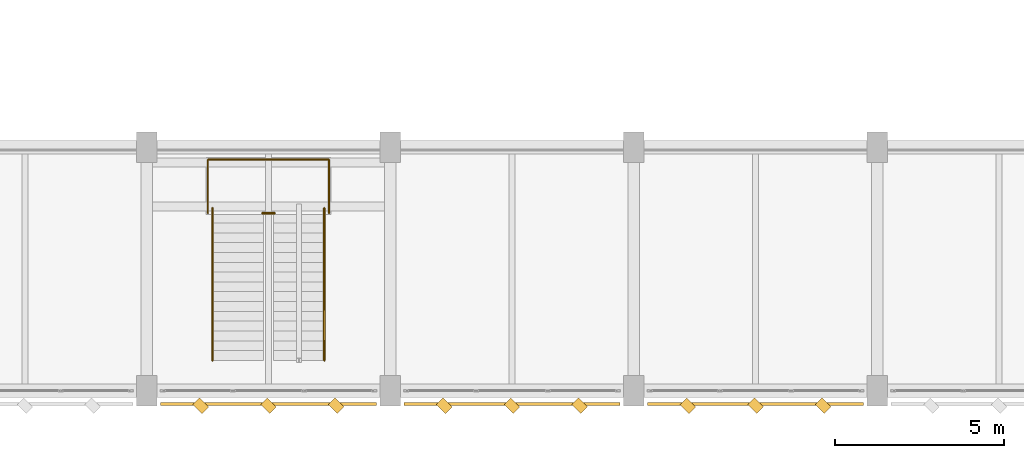
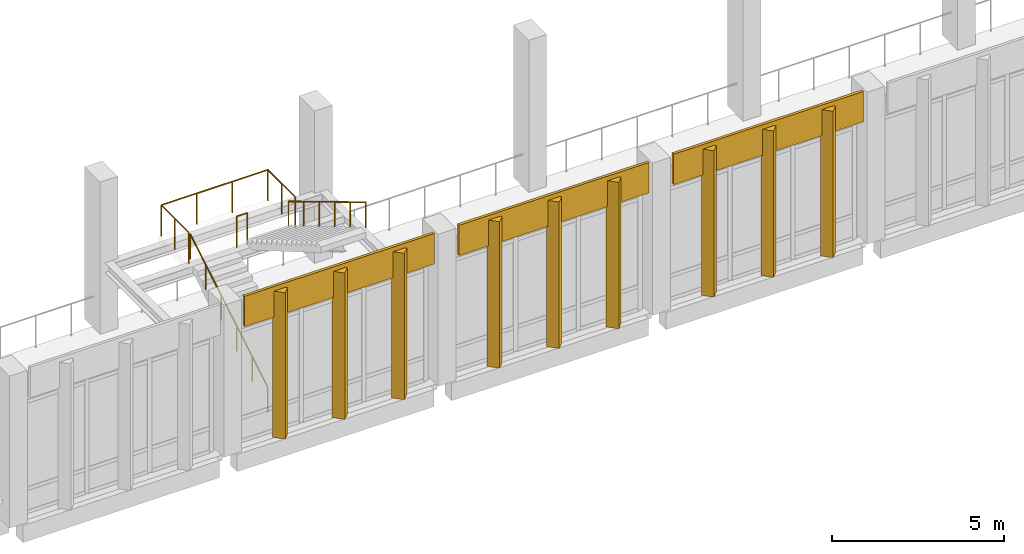
# One storey, part 175 of 180: 12 coverings, 4 railings.
"""IFC4 building model written with IfcOpenShell, lengths in metres."""

from ifc_helpers import new_model, si_unit, direction, frame, origin, origin_2d, place, context, subcontext, project, spatial, rectangle, circle, extrude, material, layer, layer_set, type_object, element, save


model = new_model("IFC4")

# Units and contexts
model_context = context("Model", 3, precision=1e-05, world=origin(), true_north=direction((0.0, 1.0)))
body_context = subcontext(model_context, "Body", "Model", "MODEL_VIEW")
ifc_project = project(units=[si_unit("LENGTHUNIT", "METRE"), si_unit("AREAUNIT", "SQUARE_METRE"), si_unit("VOLUMEUNIT", "CUBIC_METRE"), si_unit("PLANEANGLEUNIT", "RADIAN"), si_unit("MASSUNIT", "GRAM", prefix="KILO")], contexts=[model_context])

# Site, building, storey
site_placement = place(None, origin())
site = spatial("IfcSite", under=ifc_project, at=site_placement, CompositionType="ELEMENT")
building_placement = place(site_placement, origin())
building = spatial("IfcBuilding", under=site, at=building_placement, Name="Lusvemor Sports Hall", CompositionType="ELEMENT")
storey_placement = place(building_placement, frame((0.0, 0.0, 5.39990234375)))
storey = spatial("IfcBuildingStorey", under=building, at=storey_placement, Name="L01", CompositionType="ELEMENT", Elevation=5.39990234375)

# Coverings
ifc_material_1 = material(Name="Emerald polychrome glazed ceramic cladding on Concrete C40/50 backing", Category="concrete")
ifc_layer_1 = layer(ifc_material_1, 0.0458984375)
ifc_layer_set_1 = layer_set([ifc_layer_1], Name="Emerald polychrome glazed ceramic cladding on Concrete C40/50 backing")
covering_type_1 = type_object("IfcCoveringType", Name="CLAD_WAVE_EMERALD", PredefinedType="CLADDING", material=ifc_layer_set_1)
for number, where, z_axis, x_axis, name in (
    (1, (129.60009765625, -0.43994140625, 0.10009765625), (0.0, 0.0, 1.0), (0.707106781187, 0.707106781187, 0.0), "Patterned Diamond Cladding Rib 166"),
    (2, (136.800048828125, -0.43994140625, 0.10009765625), (0.0, 0.0, 1.0), (0.707106781187, 0.707106781187, 0.0), "Patterned Diamond Cladding Rib 182"),
    (3, (144.0, -0.43994140625, 0.10009765625), (0.0, 0.0, 1.0), (0.707106781187, 0.707106781187, 0.0), "Patterned Diamond Cladding Rib 198"),
):
    element("IfcCovering", number, at=place(storey_placement, frame(where, z_axis=z_axis, x_axis=x_axis)), inside=storey, type_object=covering_type_1, Name=name, PredefinedType="CLADDING", context=body_context, shape_type="SweptSolid", body=[
        extrude(rectangle(XDim=0.280029296875, YDim=0.3798828125, at=origin_2d()), origin(), (0.0, 0.0, 1.0), 5.199951171875),
    ])
ifc_material_2 = material(Name="Warm terracotta Art Nouveau ceramic cladding on Concrete C40/50 backing", Category="masonry")
ifc_layer_2 = layer(ifc_material_2, 0.0380859375)
ifc_layer_set_2 = layer_set([ifc_layer_2], Name="Warm terracotta Art Nouveau ceramic cladding on Concrete C40/50 backing")
covering_type_2 = type_object("IfcCoveringType", Name="CLAD_WAVE_OCHRE", PredefinedType="CLADDING", material=ifc_layer_set_2)
for number, where, z_axis, x_axis, name in (
    (4, (129.60009765625, -0.389892578125, 4.380126953125), (0.0, 0.0, 1.0), (1.0, 0.0, 0.0), "Art Nouveau Spandrel Cornice 164"),
    (5, (136.800048828125, -0.389892578125, 4.380126953125), (0.0, 0.0, 1.0), (1.0, 0.0, 0.0), "Art Nouveau Spandrel Cornice 180"),
    (6, (144.0, -0.389892578125, 4.380126953125), (0.0, 0.0, 1.0), (1.0, 0.0, 0.0), "Art Nouveau Spandrel Cornice 196"),
):
    element("IfcCovering", number, at=place(storey_placement, frame(where, z_axis=z_axis, x_axis=x_axis)), inside=storey, type_object=covering_type_2, Name=name, PredefinedType="CLADDING", context=body_context, shape_type="SweptSolid", body=[
        extrude(rectangle(XDim=6.3798828125, YDim=0.090087890625, at=origin_2d()), origin(), (0.0, 0.0, 1.0), 1.080078125),
    ])
ifc_material_3 = material(Name="Warm terracotta Art Nouveau ceramic cladding on Concrete C40/50 backing", Category="masonry")
ifc_layer_3 = layer(ifc_material_3, 0.449951171875)
ifc_layer_set_3 = layer_set([ifc_layer_3], Name="Warm terracotta Art Nouveau ceramic cladding on Concrete C40/50 backing")
covering_type_3 = type_object("IfcCoveringType", Name="FIN_BRISE_CER_450", PredefinedType="MOLDING", material=ifc_layer_set_3)
for number, where, z_axis, x_axis, name in (
    (7, (127.60009765625, -0.43994140625, 0.10009765625), (0.0, 0.0, 1.0), (0.707106781187, 0.707106781187, 0.0), "Patterned Diamond Cladding Rib 165"),
    (8, (131.60009765625, -0.43994140625, 0.10009765625), (0.0, 0.0, 1.0), (0.707106781187, 0.707106781187, 0.0), "Patterned Diamond Cladding Rib 167"),
    (9, (134.800048828125, -0.43994140625, 0.10009765625), (0.0, 0.0, 1.0), (0.707106781187, 0.707106781187, 0.0), "Patterned Diamond Cladding Rib 181"),
    (10, (138.800048828125, -0.43994140625, 0.10009765625), (0.0, 0.0, 1.0), (0.707106781187, 0.707106781187, 0.0), "Patterned Diamond Cladding Rib 183"),
    (11, (142.0, -0.43994140625, 0.10009765625), (0.0, 0.0, 1.0), (0.707106781187, 0.707106781187, 0.0), "Patterned Diamond Cladding Rib 197"),
    (12, (146.0, -0.43994140625, 0.10009765625), (0.0, 0.0, 1.0), (0.707106781187, 0.707106781187, 0.0), "Patterned Diamond Cladding Rib 199"),
):
    element("IfcCovering", number, at=place(storey_placement, frame(where, z_axis=z_axis, x_axis=x_axis)), inside=storey, type_object=covering_type_3, Name=name, PredefinedType="MOLDING", context=body_context, shape_type="SweptSolid", body=[
        extrude(rectangle(XDim=0.280029296875, YDim=0.3798828125, at=origin_2d()), origin(), (0.0, 0.0, 1.0), 5.199951171875),
    ])

# Railings
ifc_material_4 = material(Name="Bronze-finished wrought-steel Art Nouveau balustrade", Category="steel")
railing_type_1 = type_object("IfcRailingType", Name="RAIL_HANDRAIL_092", PredefinedType="HANDRAIL", material=ifc_material_4)
railing_1_placement = place(storey_placement, frame((127.949951171875, 0.89990234375, 0.0)))
element("IfcRailing", 13, at=railing_1_placement, inside=storey, type_object=railing_type_1, Name="STR-V2-CONC Handrail F1", PredefinedType="HANDRAIL", context=body_context, shape_type="SweptSolid", body=[
    extrude(circle(Radius=0.02392578125, at=origin_2d()), frame((0.0, 0.0, 0.89599609375), z_axis=(0.0, 0.857476506072, 0.514523120505), x_axis=(-1.0, 0.0, 0.0)), (0.0, 0.0, 1.0), 5.248046875),
    extrude(circle(Radius=0.02099609375, at=origin_2d()), origin(), (0.0, 0.0, 1.0), 0.871826171875),
    extrude(circle(Radius=0.02099609375, at=origin_2d()), frame((0.0, 0.89990234375, 0.5400390625)), (0.0, 0.0, 1.0), 0.871826171875),
    extrude(circle(Radius=0.02099609375, at=origin_2d()), frame((0.0, 1.800048828125, 1.080078125)), (0.0, 0.0, 1.0), 0.871826171875),
    extrude(circle(Radius=0.02099609375, at=origin_2d()), frame((0.0, 2.699951171875, 1.6201171875)), (0.0, 0.0, 1.0), 0.871826171875),
    extrude(circle(Radius=0.02099609375, at=origin_2d()), frame((0.0, 3.60009765625, 2.16015625)), (0.0, 0.0, 1.0), 0.871826171875),
    extrude(circle(Radius=0.02099609375, at=origin_2d()), frame((0.0, 4.5, 2.7001953125)), (0.0, 0.0, 1.0), 0.871826171875),
])
railing_2_placement = place(storey_placement, frame((131.25, 5.39990234375, 2.7001953125)))
element("IfcRailing", 14, at=railing_2_placement, inside=storey, type_object=railing_type_1, Name="STR-V2-CONC Handrail F2", PredefinedType="HANDRAIL", context=body_context, shape_type="SweptSolid", body=[
    extrude(circle(Radius=0.02392578125, at=origin_2d()), frame((0.0, 0.0, 0.89599609375), z_axis=(0.0, -0.857497030584, 0.514488913912), x_axis=(1.0, 0.0, 0.0)), (0.0, 0.0, 1.0), 5.247802734375),
    extrude(circle(Radius=0.02099609375, at=origin_2d()), origin(), (0.0, 0.0, 1.0), 0.871826171875),
    extrude(circle(Radius=0.02099609375, at=origin_2d()), frame((0.0, -0.89990234375, 0.5400390625)), (0.0, 0.0, 1.0), 0.871826171875),
    extrude(circle(Radius=0.02099609375, at=origin_2d()), frame((0.0, -1.800048828125, 1.080078125)), (0.0, 0.0, 1.0), 0.871826171875),
    extrude(circle(Radius=0.02099609375, at=origin_2d()), frame((0.0, -2.699951171875, 1.619873046875)), (0.0, 0.0, 1.0), 0.871826171875),
    extrude(circle(Radius=0.02099609375, at=origin_2d()), frame((0.0, -3.60009765625, 2.159912109375)), (0.0, 0.0, 1.0), 0.871826171875),
    extrude(circle(Radius=0.02099609375, at=origin_2d()), frame((0.0, -4.5, 2.699951171875)), (0.0, 0.0, 1.0), 0.871826171875),
])
ifc_material_5 = material(Name="Bronze-finished wrought-steel Art Nouveau balustrade", Category="steel")
railing_type_2 = type_object("IfcRailingType", Name="RAIL_STAIR_GUARD_112", PredefinedType="GUARDRAIL", material=ifc_material_5)
railing_3_placement = place(storey_placement, frame((127.81005859375, 5.25, 2.7001953125)))
element("IfcRailing", 15, at=railing_3_placement, inside=storey, type_object=railing_type_2, Name="STR-V2-CONC Mid Guard", PredefinedType="GUARDRAIL", context=body_context, shape_type="SweptSolid", body=[
    extrude(circle(Radius=0.02392578125, at=origin_2d()), frame((0.0, 0.0, 1.09619140625), z_axis=(0.0, 1.0, 0.0), x_axis=(-1.0, 0.0, 0.0)), (0.0, 0.0, 1.0), 1.590087890625),
    extrude(circle(Radius=0.02392578125, at=origin_2d()), frame((0.0, 1.590087890625, 1.09619140625), z_axis=(1.0, 0.0, 0.0), x_axis=(0.0, 1.0, 0.0)), (0.0, 0.0, 1.0), 3.579833984375),
    extrude(circle(Radius=0.02392578125, at=origin_2d()), frame((3.579833984375, 1.590087890625, 1.09619140625), z_axis=(0.0, -1.0, 0.0), x_axis=(1.0, 0.0, 0.0)), (0.0, 0.0, 1.0), 1.590087890625),
    extrude(circle(Radius=0.02099609375, at=origin_2d()), origin(), (0.0, 0.0, 1.0), 1.072021484375),
    extrude(circle(Radius=0.02099609375, at=origin_2d()), frame((0.0, 0.794921875, 0.0)), (0.0, 0.0, 1.0), 1.072021484375),
    extrude(circle(Radius=0.02099609375, at=origin_2d()), frame((0.0, 1.590087890625, 0.0)), (0.0, 0.0, 1.0), 1.072021484375),
    extrude(circle(Radius=0.02099609375, at=origin_2d()), frame((1.193359375, 1.590087890625, 0.0)), (0.0, 0.0, 1.0), 1.072021484375),
    extrude(circle(Radius=0.02099609375, at=origin_2d()), frame((2.386474609375, 1.590087890625, 0.0)), (0.0, 0.0, 1.0), 1.072021484375),
    extrude(circle(Radius=0.02099609375, at=origin_2d()), frame((3.579833984375, 1.590087890625, 0.0)), (0.0, 0.0, 1.0), 1.072021484375),
    extrude(circle(Radius=0.02099609375, at=origin_2d()), frame((3.579833984375, 0.794921875, 0.0)), (0.0, 0.0, 1.0), 1.072021484375),
    extrude(circle(Radius=0.02099609375, at=origin_2d()), frame((3.579833984375, 0.0, 0.0)), (0.0, 0.0, 1.0), 1.072021484375),
])
railing_4_placement = place(storey_placement, frame((129.419921875, 5.25, 2.7001953125)))
element("IfcRailing", 16, at=railing_4_placement, inside=storey, type_object=railing_type_2, Name="STR-V2-CONC Mid Well Slot Guard", PredefinedType="GUARDRAIL", context=body_context, shape_type="SweptSolid", body=[
    extrude(circle(Radius=0.02392578125, at=origin_2d()), frame((0.0, 0.0, 1.09619140625), z_axis=(1.0, 0.0, 0.0), x_axis=(0.0, 1.0, 0.0)), (0.0, 0.0, 1.0), 0.360107421875),
    extrude(circle(Radius=0.02099609375, at=origin_2d()), origin(), (0.0, 0.0, 1.0), 1.072021484375),
    extrude(circle(Radius=0.02099609375, at=origin_2d()), frame((0.360107421875, 0.0, 0.0)), (0.0, 0.0, 1.0), 1.072021484375),
])

save(model, "model.ifc")
